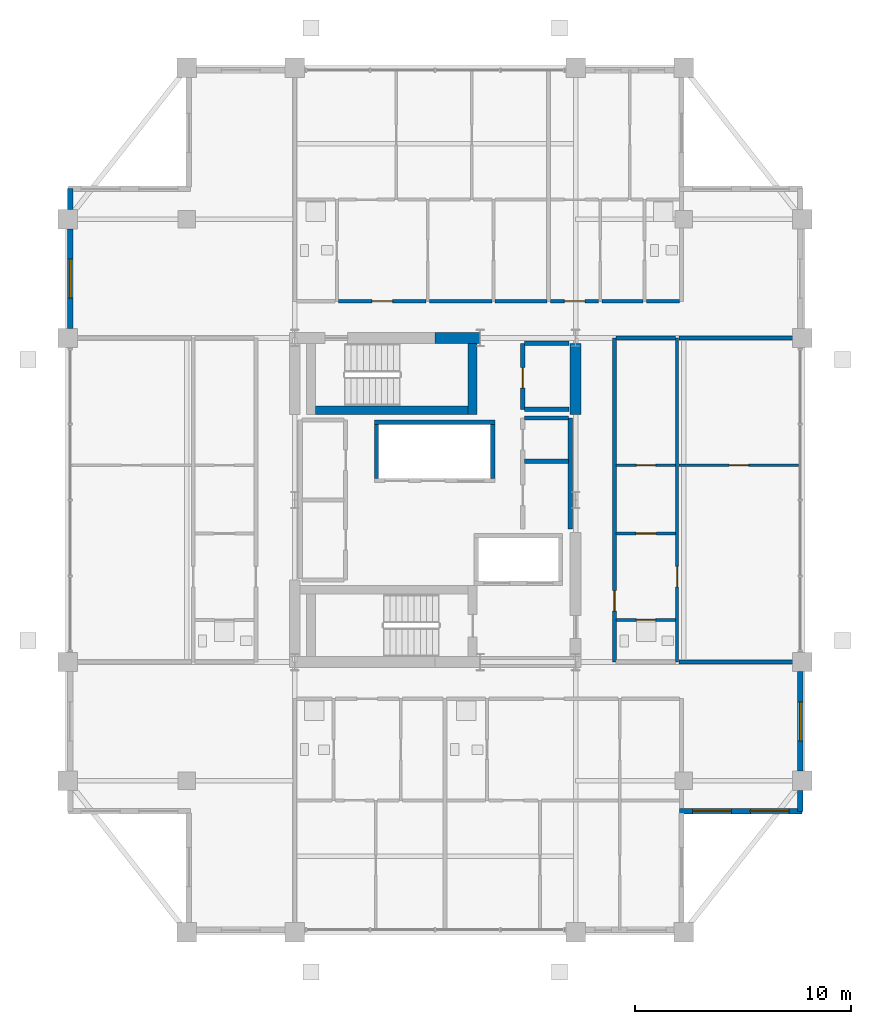
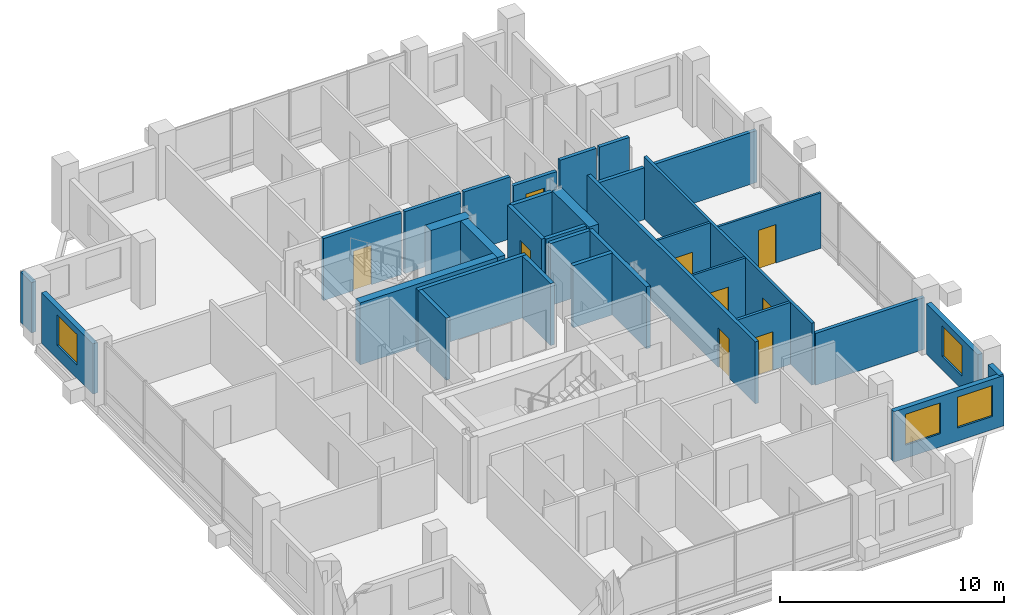
# One storey, part 18 of 22: 33 walls, 9 doors, 4 windows, 13 openings.
"""IFC4 building model written with IfcOpenShell, lengths in metres."""

from ifc_helpers import new_model, si_unit, direction, frame, frame_2d, origin, place, context, subcontext, project, spatial, rectangle, extrude, material, layer, layer_set, type_object, element, fill, save


model = new_model("IFC4")

# Units and contexts
model_context = context("Model", 3, precision=1e-05, world=origin(), true_north=direction((0.0, 1.0)))
body_context = subcontext(model_context, "Body", "Model", "MODEL_VIEW")
ifc_project = project(units=[si_unit("LENGTHUNIT", "METRE"), si_unit("AREAUNIT", "SQUARE_METRE"), si_unit("VOLUMEUNIT", "CUBIC_METRE"), si_unit("PLANEANGLEUNIT", "RADIAN"), si_unit("MASSUNIT", "GRAM", prefix="KILO")], contexts=[model_context])

# Site, building, storey
site_placement = place(None, origin())
site = spatial("IfcSite", under=ifc_project, at=site_placement, CompositionType="ELEMENT")
building_placement = place(site_placement, origin())
building = spatial("IfcBuilding", under=site, at=building_placement, Name="Barlavira Tower and Art Museum", CompositionType="ELEMENT")
storey_placement = place(building_placement, frame((0.0, 0.0, 243.89990234375)))
storey = spatial("IfcBuildingStorey", under=building, at=storey_placement, Name="L63", CompositionType="ELEMENT", Elevation=243.89990234375)

# Wall, opening, door
ifc_material_1 = material(Name="Gypsum acoustic stud partition", Category="gypsum")
ifc_layer_1 = layer(ifc_material_1, 0.1201171875, Name="Gypsum acoustic stud partition")
ifc_layer_set_1 = layer_set([ifc_layer_1], Name="Gypsum acoustic stud partition")
wall_type_1 = type_object("IfcWallType", Name="Apartment Internal Acoustic Partition 120", PredefinedType="PARTITIONING", material=ifc_layer_set_1)
wall_1_placement = place(storey_placement, frame((8.3798828125, -1.550048828125, 0.0), z_axis=(0.0, 0.0, 1.0), x_axis=(1.0, 0.0, 0.0)))
wall_1 = element("IfcWall", 1, at=wall_1_placement, inside=storey, type_object=wall_type_1, Name="L63 Partition Wall 52", PredefinedType="PARTITIONING", context=body_context, shape_type="SweptSolid", body=[
    extrude(rectangle(XDim=2.740234375, YDim=0.1201171875, at=frame_2d((1.3701171875, 0.0))), origin(), (0.0, 0.0, 1.0), 3.380126953125),
])
opening_1_placement = place(wall_1_placement, frame((0.905029296875, 0.0, 0.0)))
opening_1 = element("IfcOpeningElement", 2, at=opening_1_placement, cuts=wall_1, Name="Opening D-02", PredefinedType="OPENING", context=body_context, shape_type="SweptSolid", body=[
    extrude(rectangle(XDim=0.949951171875, YDim=2.10009765625, at=frame_2d((0.47509765625, 1.050048828125))), frame((0.0, 0.070068359375, 0.0), z_axis=(0.0, -1.0, 0.0), x_axis=(1.0, 0.0, 0.0)), (0.0, 0.0, 1.0), 0.14013671875),
])
ifc_material_2 = material(Name="Engineered coastal hardwood", Category="wood")
door_type_1 = type_object("IfcDoorType", Name="Living and Salon Glazed-Leaf Door 950x2100", OperationType="NOTDEFINED", PredefinedType="DOOR", material=ifc_material_2)
door_1_placement = place(opening_1_placement, origin())
door_1 = element("IfcDoor", 3, at=door_1_placement, inside=storey, type_object=door_type_1, Name="Apartment E1 Kitchen Door", OperationType="SINGLE_SWING_RIGHT", OverallHeight=2.10009765625, OverallWidth=0.949951171875, PredefinedType="DOOR", context=body_context, shape_type="SweptSolid", body=[
    extrude(rectangle(XDim=0.949951171875, YDim=2.10009765625, at=frame_2d((0.47509765625, 1.050048828125))), frame((0.0, 0.02490234375, 0.0), z_axis=(0.0, -1.0, 0.0), x_axis=(1.0, 0.0, 0.0)), (0.0, 0.0, 1.0), 0.050048828125),
])
fill(opening_1, door_1)

wall_2_placement = place(storey_placement, frame((8.3798828125, 1.60009765625, 0.0), z_axis=(0.0, 0.0, 1.0), x_axis=(1.0, 0.0, 0.0)))
wall_2 = element("IfcWall", 4, at=wall_2_placement, inside=storey, type_object=wall_type_1, Name="L63 Partition Wall 56", PredefinedType="PARTITIONING", context=body_context, shape_type="SweptSolid", body=[
    extrude(rectangle(XDim=2.740234375, YDim=0.1201171875, at=frame_2d((1.3701171875, 0.0))), origin(), (0.0, 0.0, 1.0), 3.380126953125),
])
opening_2_placement = place(wall_2_placement, frame((0.929931640625, 0.0, 0.0)))
opening_2 = element("IfcOpeningElement", 5, at=opening_2_placement, cuts=wall_2, Name="Opening D-01", PredefinedType="OPENING", context=body_context, shape_type="SweptSolid", body=[
    extrude(rectangle(XDim=0.89990234375, YDim=2.10009765625, at=frame_2d((0.449951171875, 1.050048828125))), frame((0.0, 0.070068359375, 0.0), z_axis=(0.0, -1.0, 0.0), x_axis=(1.0, 0.0, 0.0)), (0.0, 0.0, 1.0), 0.14013671875),
])
door_type_2 = type_object("IfcDoorType", Name="Internal Bedroom Timber Flush Door 900x2100", OperationType="NOTDEFINED", PredefinedType="DOOR", material=ifc_material_2)
door_2_placement = place(opening_2_placement, origin())
door_2 = element("IfcDoor", 6, at=door_2_placement, inside=storey, type_object=door_type_2, Name="Apartment E1 Walk-In Dressing Room Door", OperationType="SINGLE_SWING_LEFT", OverallHeight=2.10009765625, OverallWidth=0.89990234375, PredefinedType="DOOR", context=body_context, shape_type="SweptSolid", body=[
    extrude(rectangle(XDim=0.89990234375, YDim=2.10009765625, at=frame_2d((0.449951171875, 1.050048828125))), frame((0.0, 0.02490234375, 0.0), z_axis=(0.0, -1.0, 0.0), x_axis=(1.0, 0.0, 0.0)), (0.0, 0.0, 1.0), 0.050048828125),
])
fill(opening_2, door_2)

wall_3_placement = place(storey_placement, frame((11.280029296875, 1.60009765625, 0.0), z_axis=(0.0, 0.0, 1.0), x_axis=(1.0, 0.0, 0.0)))
wall_3 = element("IfcWall", 7, at=wall_3_placement, inside=storey, type_object=wall_type_1, Name="L63 Partition Wall 57", PredefinedType="PARTITIONING", context=body_context, shape_type="SweptSolid", body=[
    extrude(rectangle(XDim=5.5400390625, YDim=0.1201171875, at=frame_2d((2.77001953125, 0.0))), origin(), (0.0, 0.0, 1.0), 3.01806640625),
])
opening_3_placement = place(wall_3_placement, frame((2.330078125, 0.0, 0.0)))
opening_3 = element("IfcOpeningElement", 8, at=opening_3_placement, cuts=wall_3, Name="Opening D-01", PredefinedType="OPENING", context=body_context, shape_type="SweptSolid", body=[
    extrude(rectangle(XDim=0.89990234375, YDim=2.10009765625, at=frame_2d((0.449951171875, 1.050048828125))), frame((0.0, 0.070068359375, 0.0), z_axis=(0.0, -1.0, 0.0), x_axis=(1.0, 0.0, 0.0)), (0.0, 0.0, 1.0), 0.14013671875),
])
door_3_placement = place(opening_3_placement, origin())
door_3 = element("IfcDoor", 9, at=door_3_placement, inside=storey, type_object=door_type_2, Name="Apartment E1 Bedroom 1 Door", OperationType="SINGLE_SWING_LEFT", OverallHeight=2.10009765625, OverallWidth=0.89990234375, PredefinedType="DOOR", context=body_context, shape_type="SweptSolid", body=[
    extrude(rectangle(XDim=0.89990234375, YDim=2.10009765625, at=frame_2d((0.449951171875, 1.050048828125))), frame((0.0, 0.02490234375, 0.0), z_axis=(0.0, -1.0, 0.0), x_axis=(1.0, 0.0, 0.0)), (0.0, 0.0, 1.0), 0.050048828125),
])
fill(opening_3, door_3)

# Walls
ifc_material_3 = material(Name="Concrete C60", Category="concrete")
ifc_layer_2 = layer(ifc_material_3, 0.5, Name="Concrete C60")
ifc_layer_set_2 = layer_set([ifc_layer_2], Name="Concrete C60")
wall_type_2 = type_object("IfcWallType", Name="Core Structural Shear Wall 500 Concrete C60", PredefinedType="SHEAR", material=ifc_layer_set_2)
wall_4_placement = place(storey_placement, frame((0.0, 7.5, 0.0), z_axis=(0.0, 0.0, 1.0), x_axis=(1.0, 0.0, 0.0)))
element("IfcWall", 10, at=wall_4_placement, inside=storey, type_object=wall_type_2, Name="L63 Core Shear Wall CS-EN", PredefinedType="SHEAR", context=body_context, shape_type="SweptSolid", body=[
    extrude(rectangle(XDim=2.080078125, YDim=0.5, at=frame_2d((1.0400390625, 0.0))), origin(), (0.0, 0.0, 1.0), 3.380126953125),
])
wall_5_placement = place(storey_placement, frame((6.5, 3.949951171875, 0.0), z_axis=(0.0, 0.0, 1.0), x_axis=(0.0, 1.0, 0.0)))
element("IfcWall", 11, at=wall_5_placement, inside=storey, type_object=wall_type_2, Name="L63 Core Shear Wall CS-E2", PredefinedType="SHEAR", context=body_context, shape_type="SweptSolid", body=[
    extrude(rectangle(XDim=3.300048828125, YDim=0.5, at=frame_2d((1.64990234375, 0.0))), origin(), (0.0, 0.0, 1.0), 3.380126953125),
])
ifc_material_4 = material(Name="Autoclaved aerated concrete masonry", Category="masonry")
ifc_layer_3 = layer(ifc_material_4, 0.199951171875, Name="Autoclaved aerated concrete masonry")
ifc_layer_set_3 = layer_set([ifc_layer_3], Name="Autoclaved aerated concrete masonry")
wall_type_3 = type_object("IfcWallType", Name="Fire Compartment and Shaft Wall 200", PredefinedType="SOLIDWALL", material=ifc_layer_set_3)
wall_6_placement = place(storey_placement, frame((-2.820068359375, 3.60009765625, 0.0), z_axis=(0.0, 0.0, 1.0), x_axis=(1.0, 0.0, 0.0)))
element("IfcWall", 12, at=wall_6_placement, inside=storey, type_object=wall_type_3, Name="L63 High-Rise & Service Lift Back Wall", PredefinedType="SOLIDWALL", context=body_context, shape_type="SweptSolid", body=[
    extrude(rectangle(XDim=5.580078125, YDim=0.199951171875, at=frame_2d((2.7900390625, 0.0))), origin(), (0.0, 0.0, 1.0), 3.380126953125),
])
for number, where, z_axis, x_axis, name in (
    (13, (-2.719970703125, 1.0, 0.0), (0.0, 0.0, 1.0), (0.0, 1.0, 0.0), "L63 High-Rise & Service Lift West Wall"),
    (14, (2.659912109375, 1.0, 0.0), (0.0, 0.0, 1.0), (0.0, 1.0, 0.0), "L63 High-Rise & Service Lift East Wall"),
):
    element("IfcWall", number, at=place(storey_placement, frame(where, z_axis=z_axis, x_axis=x_axis)), inside=storey, type_object=wall_type_3, Name=name, PredefinedType="SOLIDWALL", context=body_context, shape_type="SweptSolid", body=[
        extrude(rectangle(XDim=2.5, YDim=0.199951171875, at=frame_2d((1.25, 0.0))), origin(), (0.0, 0.0, 1.0), 3.380126953125),
    ])

# Wall, opening, door
wall_7_placement = place(storey_placement, frame((4.050048828125, 4.199951171875, 0.0), z_axis=(0.0, 0.0, 1.0), x_axis=(0.0, 1.0, 0.0)))
wall_7 = element("IfcWall", 15, at=wall_7_placement, inside=storey, type_object=wall_type_3, Name="L63 Partition Wall 18", PredefinedType="SOLIDWALL", context=body_context, shape_type="SweptSolid", body=[
    extrude(rectangle(XDim=3.050048828125, YDim=0.199951171875, at=frame_2d((1.52490234375, 0.0))), origin(), (0.0, 0.0, 1.0), 3.380126953125),
])
opening_4_placement = place(wall_7_placement, frame((0.97509765625, 0.0, 0.0)))
opening_4 = element("IfcOpeningElement", 16, at=opening_4_placement, cuts=wall_7, Name="Opening FD-60", PredefinedType="OPENING", context=body_context, shape_type="SweptSolid", body=[
    extrude(rectangle(XDim=0.949951171875, YDim=2.14990234375, at=frame_2d((0.47509765625, 1.074951171875))), frame((0.0, 0.10986328125, 0.0), z_axis=(0.0, -1.0, 0.0), x_axis=(1.0, 0.0, 0.0)), (0.0, 0.0, 1.0), 0.219970703125),
])
ifc_material_5 = material(Name="Brushed stainless steel", Category="steel")
door_type_3 = type_object("IfcDoorType", Name="Apartment Entrance and Riser Fire Door 950x2150 FD60S", OperationType="NOTDEFINED", PredefinedType="DOOR", material=ifc_material_5)
door_4_placement = place(opening_4_placement, origin())
door_4 = element("IfcDoor", 17, at=door_4_placement, inside=storey, type_object=door_type_3, Name="Combined Electrical and Telecom Plant Room Door", OperationType="SINGLE_SWING_RIGHT", OverallHeight=2.14990234375, OverallWidth=0.949951171875, PredefinedType="DOOR", context=body_context, shape_type="SweptSolid", body=[
    extrude(rectangle(XDim=0.949951171875, YDim=2.14990234375, at=frame_2d((0.47509765625, 1.074951171875))), frame((0.0, 0.02490234375, 0.0), z_axis=(0.0, -1.0, 0.0), x_axis=(1.0, 0.0, 0.0)), (0.0, 0.0, 1.0), 0.050048828125),
])
fill(opening_4, door_4)

# Walls
wall_8_placement = place(storey_placement, frame((6.25, -1.35009765625, 0.0), z_axis=(0.0, 0.0, 1.0), x_axis=(0.0, 1.0, 0.0)))
element("IfcWall", 18, at=wall_8_placement, inside=storey, type_object=wall_type_3, Name="L63 Partition Wall 21", PredefinedType="SOLIDWALL", context=body_context, shape_type="SweptSolid", body=[
    extrude(rectangle(XDim=5.150146484375, YDim=0.199951171875, at=frame_2d((2.5751953125, 0.0))), origin(), (0.0, 0.0, 1.0), 3.380126953125),
])
for number, where, z_axis, x_axis, name in (
    (19, (4.1298828125, 1.800048828125, 0.0), (0.0, 0.0, 1.0), (1.0, 0.0, 0.0), "L63 Partition Wall 58"),
    (20, (4.1298828125, 3.800048828125, 0.0), (0.0, 0.0, 1.0), (1.0, 0.0, 0.0), "L63 Partition Wall 60"),
):
    element("IfcWall", number, at=place(storey_placement, frame(where, z_axis=z_axis, x_axis=x_axis)), inside=storey, type_object=wall_type_3, Name=name, PredefinedType="SOLIDWALL", context=body_context, shape_type="SweptSolid", body=[
        extrude(rectangle(XDim=2.0400390625, YDim=0.199951171875, at=frame_2d((1.02001953125, 0.0))), origin(), (0.0, 0.0, 1.0), 3.380126953125),
    ])
for number, where, z_axis, x_axis, name in (
    (21, (4.1298828125, 4.199951171875, 0.0), (0.0, 0.0, 1.0), (1.0, 0.0, 0.0), "L63 Partition Wall 61"),
    (22, (4.1298828125, 7.25, 0.0), (0.0, 0.0, 1.0), (1.0, 0.0, 0.0), "L63 Partition Wall 62"),
):
    element("IfcWall", number, at=place(storey_placement, frame(where, z_axis=z_axis, x_axis=x_axis)), inside=storey, type_object=wall_type_3, Name=name, PredefinedType="SOLIDWALL", context=body_context, shape_type="SweptSolid", body=[
        extrude(rectangle(XDim=2.070068359375, YDim=0.199951171875, at=frame_2d((1.03515625, 0.0))), origin(), (0.0, 0.0, 1.0), 3.380126953125),
    ])

# Wall, opening, door
ifc_layer_4 = layer(ifc_material_1, 0.179931640625, Name="Gypsum acoustic stud partition")
ifc_layer_set_4 = layer_set([ifc_layer_4], Name="Gypsum acoustic stud partition")
wall_type_4 = type_object("IfcWallType", Name="Inter-Tenancy Party Partition Wall 180", PredefinedType="PARTITIONING", material=ifc_layer_set_4)
wall_9_placement = place(storey_placement, frame((8.300048828125, -7.5, 0.0), z_axis=(0.0, 0.0, 1.0), x_axis=(0.0, 1.0, 0.0)))
wall_9 = element("IfcWall", 23, at=wall_9_placement, inside=storey, type_object=wall_type_4, Name="L63 Partition Wall 23", PredefinedType="PARTITIONING", context=body_context, shape_type="SweptSolid", body=[
    extrude(rectangle(XDim=15.0, YDim=0.179931640625, at=frame_2d((7.5, 0.0))), origin(), (0.0, 0.0, 1.0), 3.380126953125),
])
opening_5_placement = place(wall_9_placement, frame((2.35498046875, 0.0, 0.0)))
opening_5 = element("IfcOpeningElement", 24, at=opening_5_placement, cuts=wall_9, Name="Opening FD-60", PredefinedType="OPENING", context=body_context, shape_type="SweptSolid", body=[
    extrude(rectangle(XDim=0.949951171875, YDim=2.14990234375, at=frame_2d((0.47509765625, 1.074951171875))), frame((0.0, 0.10009765625, 0.0), z_axis=(0.0, -1.0, 0.0), x_axis=(1.0, 0.0, 0.0)), (0.0, 0.0, 1.0), 0.199951171875),
])
door_5_placement = place(opening_5_placement, origin())
door_5 = element("IfcDoor", 25, at=door_5_placement, inside=storey, type_object=door_type_3, Name="Apartment Entrance Hall E1 Door", OperationType="SINGLE_SWING_LEFT", OverallHeight=2.14990234375, OverallWidth=0.949951171875, PredefinedType="DOOR", context=body_context, shape_type="SweptSolid", body=[
    extrude(rectangle(XDim=0.949951171875, YDim=2.14990234375, at=frame_2d((0.47509765625, 1.074951171875))), frame((0.0, 0.02490234375, 0.0), z_axis=(0.0, -1.0, 0.0), x_axis=(1.0, 0.0, 0.0)), (0.0, 0.0, 1.0), 0.050048828125),
])
fill(opening_5, door_5)

# Walls
wall_10_placement = place(storey_placement, frame((11.280029296875, -7.5, 0.0), z_axis=(0.0, 0.0, 1.0), x_axis=(1.0, 0.0, 0.0)))
element("IfcWall", 26, at=wall_10_placement, inside=storey, type_object=wall_type_4, Name="L63 Partition Wall 47", PredefinedType="PARTITIONING", context=body_context, shape_type="SweptSolid", body=[
    extrude(rectangle(XDim=5.619873046875, YDim=0.179931640625, at=frame_2d((2.81005859375, 0.0))), origin(), (0.0, 0.0, 1.0), 2.826171875),
])
wall_11_placement = place(storey_placement, frame((8.3798828125, 7.5, 0.0), z_axis=(0.0, 0.0, 1.0), x_axis=(1.0, 0.0, 0.0)))
element("IfcWall", 27, at=wall_11_placement, inside=storey, type_object=wall_type_4, Name="L63 Partition Wall 65", PredefinedType="PARTITIONING", context=body_context, shape_type="SweptSolid", body=[
    extrude(rectangle(XDim=2.740234375, YDim=0.179931640625, at=frame_2d((1.3701171875, 0.0))), origin(), (0.0, 0.0, 1.0), 2.826171875),
])
wall_12_placement = place(storey_placement, frame((11.280029296875, 7.5, 0.0), z_axis=(0.0, 0.0, 1.0), x_axis=(1.0, 0.0, 0.0)))
element("IfcWall", 28, at=wall_12_placement, inside=storey, type_object=wall_type_4, Name="L63 Partition Wall 66", PredefinedType="PARTITIONING", context=body_context, shape_type="SweptSolid", body=[
    extrude(rectangle(XDim=5.619873046875, YDim=0.179931640625, at=frame_2d((2.81005859375, 0.0))), origin(), (0.0, 0.0, 1.0), 2.826171875),
])

# Wall, opening, door
wall_13_placement = place(storey_placement, frame((-4.469970703125, 9.199951171875, 0.0), z_axis=(0.0, 0.0, 1.0), x_axis=(1.0, 0.0, 0.0)))
wall_13 = element("IfcWall", 29, at=wall_13_placement, inside=storey, type_object=wall_type_4, Name="L63 Partition Wall 68", PredefinedType="PARTITIONING", context=body_context, shape_type="SweptSolid", body=[
    extrude(rectangle(XDim=4.0400390625, YDim=0.179931640625, at=frame_2d((2.02001953125, 0.0))), origin(), (0.0, 0.0, 1.0), 3.380126953125),
])
opening_6_placement = place(wall_13_placement, frame((1.544921875, 0.0, 0.0)))
opening_6 = element("IfcOpeningElement", 30, at=opening_6_placement, cuts=wall_13, Name="Opening FD-60", PredefinedType="OPENING", context=body_context, shape_type="SweptSolid", body=[
    extrude(rectangle(XDim=0.949951171875, YDim=2.14990234375, at=frame_2d((0.47509765625, 1.074951171875))), frame((0.0, 0.10009765625, 0.0), z_axis=(0.0, -1.0, 0.0), x_axis=(1.0, 0.0, 0.0)), (0.0, 0.0, 1.0), 0.199951171875),
])
door_6_placement = place(opening_6_placement, origin())
door_6 = element("IfcDoor", 31, at=door_6_placement, inside=storey, type_object=door_type_3, Name="Apartment Entrance Hall N1 Door", OperationType="SINGLE_SWING_LEFT", OverallHeight=2.14990234375, OverallWidth=0.949951171875, PredefinedType="DOOR", context=body_context, shape_type="SweptSolid", body=[
    extrude(rectangle(XDim=0.949951171875, YDim=2.14990234375, at=frame_2d((0.47509765625, 1.074951171875))), frame((0.0, 0.02490234375, 0.0), z_axis=(0.0, -1.0, 0.0), x_axis=(1.0, 0.0, 0.0)), (0.0, 0.0, 1.0), 0.050048828125),
])
fill(opening_6, door_6)

# Walls
wall_14_placement = place(storey_placement, frame((-0.27001953125, 9.199951171875, 0.0), z_axis=(0.0, 0.0, 1.0), x_axis=(1.0, 0.0, 0.0)))
element("IfcWall", 32, at=wall_14_placement, inside=storey, type_object=wall_type_4, Name="L63 Partition Wall 69", PredefinedType="PARTITIONING", context=body_context, shape_type="SweptSolid", body=[
    extrude(rectangle(XDim=2.89013671875, YDim=0.179931640625, at=frame_2d((1.445068359375, 0.0))), origin(), (0.0, 0.0, 1.0), 3.380126953125),
])
wall_15_placement = place(storey_placement, frame((2.780029296875, 9.199951171875, 0.0), z_axis=(0.0, 0.0, 1.0), x_axis=(1.0, 0.0, 0.0)))
element("IfcWall", 33, at=wall_15_placement, inside=storey, type_object=wall_type_4, Name="L63 Partition Wall 70", PredefinedType="PARTITIONING", context=body_context, shape_type="SweptSolid", body=[
    extrude(rectangle(XDim=2.389892578125, YDim=0.179931640625, at=frame_2d((1.19482421875, 0.0))), origin(), (0.0, 0.0, 1.0), 3.380126953125),
])

# Wall, opening, door
wall_16_placement = place(storey_placement, frame((5.330078125, 9.199951171875, 0.0), z_axis=(0.0, 0.0, 1.0), x_axis=(1.0, 0.0, 0.0)))
wall_16 = element("IfcWall", 34, at=wall_16_placement, inside=storey, type_object=wall_type_4, Name="L63 Partition Wall 71", PredefinedType="PARTITIONING", context=body_context, shape_type="SweptSolid", body=[
    extrude(rectangle(XDim=2.239990234375, YDim=0.179931640625, at=frame_2d((1.1201171875, 0.0))), origin(), (0.0, 0.0, 1.0), 2.826171875),
])
opening_7_placement = place(wall_16_placement, frame((0.64501953125, 0.0, 0.0)))
opening_7 = element("IfcOpeningElement", 35, at=opening_7_placement, cuts=wall_16, Name="Opening FD-60", PredefinedType="OPENING", context=body_context, shape_type="SweptSolid", body=[
    extrude(rectangle(XDim=0.949951171875, YDim=2.14990234375, at=frame_2d((0.47509765625, 1.074951171875))), frame((0.0, 0.10009765625, 0.0), z_axis=(0.0, -1.0, 0.0), x_axis=(1.0, 0.0, 0.0)), (0.0, 0.0, 1.0), 0.199951171875),
])
door_7_placement = place(opening_7_placement, origin())
door_7 = element("IfcDoor", 36, at=door_7_placement, inside=storey, type_object=door_type_3, Name="Apartment Entrance Hall N2 Door", OperationType="SINGLE_SWING_LEFT", OverallHeight=2.14990234375, OverallWidth=0.949951171875, PredefinedType="DOOR", context=body_context, shape_type="SweptSolid", body=[
    extrude(rectangle(XDim=0.949951171875, YDim=2.14990234375, at=frame_2d((0.47509765625, 1.074951171875))), frame((0.0, 0.02490234375, 0.0), z_axis=(0.0, -1.0, 0.0), x_axis=(1.0, 0.0, 0.0)), (0.0, 0.0, 1.0), 0.050048828125),
])
fill(opening_7, door_7)

# Walls
wall_17_placement = place(storey_placement, frame((7.72998046875, 9.199951171875, 0.0), z_axis=(0.0, 0.0, 1.0), x_axis=(1.0, 0.0, 0.0)))
element("IfcWall", 37, at=wall_17_placement, inside=storey, type_object=wall_type_4, Name="L63 Partition Wall 72", PredefinedType="PARTITIONING", context=body_context, shape_type="SweptSolid", body=[
    extrude(rectangle(XDim=1.89013671875, YDim=0.179931640625, at=frame_2d((0.945068359375, 0.0))), origin(), (0.0, 0.0, 1.0), 3.380126953125),
])
wall_18_placement = place(storey_placement, frame((9.780029296875, 9.199951171875, 0.0), z_axis=(0.0, 0.0, 1.0), x_axis=(1.0, 0.0, 0.0)))
element("IfcWall", 38, at=wall_18_placement, inside=storey, type_object=wall_type_4, Name="L63 Partition Wall 73", PredefinedType="PARTITIONING", context=body_context, shape_type="SweptSolid", body=[
    extrude(rectangle(XDim=1.5400390625, YDim=0.179931640625, at=frame_2d((0.77001953125, 0.0))), origin(), (0.0, 0.0, 1.0), 3.380126953125),
])

# Wall, opening, door
ifc_layer_5 = layer(ifc_material_1, 0.139892578125, Name="Gypsum acoustic stud partition")
ifc_layer_set_5 = layer_set([ifc_layer_5], Name="Gypsum acoustic stud partition")
wall_type_5 = type_object("IfcWallType", Name="Moisture-Resistant Bathroom Partition 140", PredefinedType="PARTITIONING", material=ifc_layer_set_5)
wall_19_placement = place(storey_placement, frame((11.199951171875, -7.5, 0.0), z_axis=(0.0, 0.0, 1.0), x_axis=(0.0, 1.0, 0.0)))
wall_19 = element("IfcWall", 39, at=wall_19_placement, inside=storey, type_object=wall_type_5, Name="L63 Partition Wall 27", PredefinedType="PARTITIONING", context=body_context, shape_type="SweptSolid", body=[
    extrude(rectangle(XDim=15.0, YDim=0.139892578125, at=frame_2d((7.5, 0.0))), origin(), (0.0, 0.0, 1.0), 3.380126953125),
])
opening_8_placement = place(wall_19_placement, frame((3.47509765625, 0.0, 0.0)))
opening_8 = element("IfcOpeningElement", 40, at=opening_8_placement, cuts=wall_19, Name="Opening D-02", PredefinedType="OPENING", context=body_context, shape_type="SweptSolid", body=[
    extrude(rectangle(XDim=0.949951171875, YDim=2.10009765625, at=frame_2d((0.47509765625, 1.050048828125))), frame((0.0, 0.080078125, 0.0), z_axis=(0.0, -1.0, 0.0), x_axis=(1.0, 0.0, 0.0)), (0.0, 0.0, 1.0), 0.159912109375),
])
door_8_placement = place(opening_8_placement, origin())
door_8 = element("IfcDoor", 41, at=door_8_placement, inside=storey, type_object=door_type_1, Name="Apartment E1 Living Lounge Door", OperationType="SINGLE_SWING_RIGHT", OverallHeight=2.10009765625, OverallWidth=0.949951171875, PredefinedType="DOOR", context=body_context, shape_type="SweptSolid", body=[
    extrude(rectangle(XDim=0.949951171875, YDim=2.10009765625, at=frame_2d((0.47509765625, 1.050048828125))), frame((0.0, 0.02490234375, 0.0), z_axis=(0.0, -1.0, 0.0), x_axis=(1.0, 0.0, 0.0)), (0.0, 0.0, 1.0), 0.050048828125),
])
fill(opening_8, door_8)

wall_20_placement = place(storey_placement, frame((8.3798828125, -5.550048828125, 0.0), z_axis=(0.0, 0.0, 1.0), x_axis=(1.0, 0.0, 0.0)))
wall_20 = element("IfcWall", 42, at=wall_20_placement, inside=storey, type_object=wall_type_5, Name="L63 Partition Wall 49", PredefinedType="PARTITIONING", context=body_context, shape_type="SweptSolid", body=[
    extrude(rectangle(XDim=2.740234375, YDim=0.139892578125, at=frame_2d((1.3701171875, 0.0))), origin(), (0.0, 0.0, 1.0), 3.380126953125),
])
opening_9_placement = place(wall_20_placement, frame((0.929931640625, 0.0, 0.0)))
opening_9 = element("IfcOpeningElement", 43, at=opening_9_placement, cuts=wall_20, Name="Opening D-WC", PredefinedType="OPENING", context=body_context, shape_type="SweptSolid", body=[
    extrude(rectangle(XDim=0.89990234375, YDim=2.10009765625, at=frame_2d((0.449951171875, 1.050048828125))), frame((0.0, 0.080078125, 0.0), z_axis=(0.0, -1.0, 0.0), x_axis=(1.0, 0.0, 0.0)), (0.0, 0.0, 1.0), 0.159912109375),
])
door_type_4 = type_object("IfcDoorType", Name="Accessible Bathroom Flush Door 900x2100", OperationType="NOTDEFINED", PredefinedType="DOOR", material=ifc_material_2)
door_9_placement = place(opening_9_placement, origin())
door_9 = element("IfcDoor", 44, at=door_9_placement, inside=storey, type_object=door_type_4, Name="Apartment E1 Hall Bathroom Door", OperationType="SINGLE_SWING_RIGHT", OverallHeight=2.10009765625, OverallWidth=0.89990234375, PredefinedType="DOOR", context=body_context, shape_type="SweptSolid", body=[
    extrude(rectangle(XDim=0.89990234375, YDim=2.10009765625, at=frame_2d((0.449951171875, 1.050048828125))), frame((0.0, 0.02490234375, 0.0), z_axis=(0.0, -1.0, 0.0), x_axis=(1.0, 0.0, 0.0)), (0.0, 0.0, 1.0), 0.050048828125),
])
fill(opening_9, door_9)

# Wall
ifc_material_6 = material(Name="Precast concrete C40", Category="concrete")
ifc_layer_6 = layer(ifc_material_6, 0.25, Name="Precast concrete C40")
ifc_layer_set_6 = layer_set([ifc_layer_6], Name="Precast concrete C40")
wall_type_6 = type_object("IfcWallType", Name="Notched Corner Spandrel Wall 250 Precast Concrete C40", PredefinedType="SOLIDWALL", material=ifc_layer_set_6)
wall_21_placement = place(storey_placement, frame((-16.89990234375, 14.425048828125, 0.0), z_axis=(0.0, 0.0, 1.0), x_axis=(0.0, -1.0, 0.0)))
element("IfcWall", 45, at=wall_21_placement, inside=storey, type_object=wall_type_6, Name="L63 Coastal Facade Pier Wall CW4-L63-W-1", PredefinedType="SOLIDWALL", context=body_context, shape_type="SweptSolid", body=[
    extrude(rectangle(XDim=0.97998046875, YDim=0.25, at=frame_2d((0.489990234375, 0.0))), origin(), (0.0, 0.0, 1.0), 2.748046875),
])

# Wall, opening, window
wall_22_placement = place(storey_placement, frame((-16.89990234375, 12.554931640625, 0.0), z_axis=(0.0, 0.0, 1.0), x_axis=(0.0, -1.0, 0.0)))
wall_22 = element("IfcWall", 46, at=wall_22_placement, inside=storey, type_object=wall_type_6, Name="L63 Coastal Facade Pier Wall CW4-L63-W-2", PredefinedType="SOLIDWALL", context=body_context, shape_type="SweptSolid", body=[
    extrude(rectangle(XDim=4.60986328125, YDim=0.25, at=frame_2d((2.304931640625, 0.0))), origin(), (0.0, 0.0, 1.0), 2.748046875),
])
opening_10_placement = place(wall_22_placement, frame((1.405029296875, 0.0, 0.719970703125)))
opening_10 = element("IfcOpeningElement", 47, at=opening_10_placement, cuts=wall_22, Name="Opening WN-01", PredefinedType="OPENING", context=body_context, shape_type="SweptSolid", body=[
    extrude(rectangle(XDim=1.800048828125, YDim=1.679931640625, at=frame_2d((0.89990234375, 0.83984375))), frame((0.0, 0.135009765625, 0.0), z_axis=(0.0, -1.0, 0.0), x_axis=(1.0, 0.0, 0.0)), (0.0, 0.0, 1.0), 0.27001953125),
])
ifc_material_7 = material(Name="Low-iron coastal laminated glass", Category="glass")
window_type = type_object("IfcWindowType", Name="Recessed Notch Corner Punch Window 1800x1680", PartitioningType="SINGLE_PANEL", PredefinedType="WINDOW", material=ifc_material_7)
window_1_placement = place(opening_10_placement, origin())
window_1 = element("IfcWindow", 48, at=window_1_placement, inside=storey, type_object=window_type, Name="L63 Punched Facade Window EWP-CW4-L63-W-2-1", OverallHeight=1.679931640625, OverallWidth=1.800048828125, PartitioningType="SINGLE_PANEL", PredefinedType="WINDOW", context=body_context, shape_type="SweptSolid", body=[
    extrude(rectangle(XDim=1.800048828125, YDim=1.679931640625, at=frame_2d((0.89990234375, 0.83984375))), frame((0.0, 0.030029296875, 0.0), z_axis=(0.0, -1.0, 0.0), x_axis=(1.0, 0.0, 0.0)), (0.0, 0.0, 1.0), 0.06005859375),
])
fill(opening_10, window_1)

# Wall
wall_23_placement = place(storey_placement, frame((16.89990234375, -14.425048828125, 0.0), z_axis=(0.0, 0.0, 1.0), x_axis=(0.0, 1.0, 0.0)))
element("IfcWall", 49, at=wall_23_placement, inside=storey, type_object=wall_type_6, Name="L63 Coastal Facade Pier Wall CW4-L63-E-1", PredefinedType="SOLIDWALL", context=body_context, shape_type="SweptSolid", body=[
    extrude(rectangle(XDim=0.97998046875, YDim=0.25, at=frame_2d((0.489990234375, 0.0))), origin(), (0.0, 0.0, 1.0), 2.748046875),
])

# Wall, opening, window
wall_24_placement = place(storey_placement, frame((16.89990234375, -12.554931640625, 0.0), z_axis=(0.0, 0.0, 1.0), x_axis=(0.0, 1.0, 0.0)))
wall_24 = element("IfcWall", 50, at=wall_24_placement, inside=storey, type_object=wall_type_6, Name="L63 Coastal Facade Pier Wall CW4-L63-E-2", PredefinedType="SOLIDWALL", context=body_context, shape_type="SweptSolid", body=[
    extrude(rectangle(XDim=4.60986328125, YDim=0.25, at=frame_2d((2.304931640625, 0.0))), origin(), (0.0, 0.0, 1.0), 2.748046875),
])
opening_11_placement = place(wall_24_placement, frame((1.405029296875, 0.0, 0.719970703125)))
opening_11 = element("IfcOpeningElement", 51, at=opening_11_placement, cuts=wall_24, Name="Opening WN-01", PredefinedType="OPENING", context=body_context, shape_type="SweptSolid", body=[
    extrude(rectangle(XDim=1.800048828125, YDim=1.679931640625, at=frame_2d((0.89990234375, 0.83984375))), frame((0.0, 0.135009765625, 0.0), z_axis=(0.0, -1.0, 0.0), x_axis=(1.0, 0.0, 0.0)), (0.0, 0.0, 1.0), 0.27001953125),
])
window_2_placement = place(opening_11_placement, origin())
window_2 = element("IfcWindow", 52, at=window_2_placement, inside=storey, type_object=window_type, Name="L63 Punched Facade Window EWP-CW4-L63-E-2-1", OverallHeight=1.679931640625, OverallWidth=1.800048828125, PartitioningType="SINGLE_PANEL", PredefinedType="WINDOW", context=body_context, shape_type="SweptSolid", body=[
    extrude(rectangle(XDim=1.800048828125, YDim=1.679931640625, at=frame_2d((0.89990234375, 0.83984375))), frame((0.0, 0.030029296875, 0.0), z_axis=(0.0, -1.0, 0.0), x_axis=(1.0, 0.0, 0.0)), (0.0, 0.0, 1.0), 0.06005859375),
])
fill(opening_11, window_2)

# Wall, openings, windows
wall_25_placement = place(storey_placement, frame((11.320068359375, -14.39990234375, 0.0), z_axis=(0.0, 0.0, 1.0), x_axis=(1.0, 0.0, 0.0)))
wall_25 = element("IfcWall", 53, at=wall_25_placement, inside=storey, type_object=wall_type_6, Name="L63 Notch Corner Wall SE2", PredefinedType="SOLIDWALL", context=body_context, shape_type="SweptSolid", body=[
    extrude(rectangle(XDim=5.659912109375, YDim=0.25, at=frame_2d((2.830078125, 0.0))), origin(), (0.0, 0.0, 1.0), 2.748046875),
])
opening_12_placement = place(wall_25_placement, frame((0.594970703125, 0.0, 0.719970703125)))
opening_12 = element("IfcOpeningElement", 54, at=opening_12_placement, cuts=wall_25, Name="Opening WN-01", PredefinedType="OPENING", context=body_context, shape_type="SweptSolid", body=[
    extrude(rectangle(XDim=1.800048828125, YDim=1.679931640625, at=frame_2d((0.89990234375, 0.83984375))), frame((0.0, 0.135009765625, 0.0), z_axis=(0.0, -1.0, 0.0), x_axis=(1.0, 0.0, 0.0)), (0.0, 0.0, 1.0), 0.27001953125),
])
opening_13_placement = place(wall_25_placement, frame((3.264892578125, 0.0, 0.719970703125)))
opening_13 = element("IfcOpeningElement", 55, at=opening_13_placement, cuts=wall_25, Name="Opening WN-01", PredefinedType="OPENING", context=body_context, shape_type="SweptSolid", body=[
    extrude(rectangle(XDim=1.800048828125, YDim=1.679931640625, at=frame_2d((0.89990234375, 0.83984375))), frame((0.0, 0.135009765625, 0.0), z_axis=(0.0, -1.0, 0.0), x_axis=(1.0, 0.0, 0.0)), (0.0, 0.0, 1.0), 0.27001953125),
])
window_3_placement = place(opening_12_placement, origin())
window_3 = element("IfcWindow", 56, at=window_3_placement, inside=storey, type_object=window_type, Name="L63 Punched Facade Window EW-NTC-L63-SE2-1", OverallHeight=1.679931640625, OverallWidth=1.800048828125, PartitioningType="SINGLE_PANEL", PredefinedType="WINDOW", context=body_context, shape_type="SweptSolid", body=[
    extrude(rectangle(XDim=1.800048828125, YDim=1.679931640625, at=frame_2d((0.89990234375, 0.83984375))), frame((0.0, 0.030029296875, 0.0), z_axis=(0.0, -1.0, 0.0), x_axis=(1.0, 0.0, 0.0)), (0.0, 0.0, 1.0), 0.06005859375),
])
fill(opening_12, window_3)
window_4_placement = place(opening_13_placement, origin())
window_4 = element("IfcWindow", 57, at=window_4_placement, inside=storey, type_object=window_type, Name="L63 Punched Facade Window EW-NTC-L63-SE2-2", OverallHeight=1.679931640625, OverallWidth=1.800048828125, PartitioningType="SINGLE_PANEL", PredefinedType="WINDOW", context=body_context, shape_type="SweptSolid", body=[
    extrude(rectangle(XDim=1.800048828125, YDim=1.679931640625, at=frame_2d((0.89990234375, 0.83984375))), frame((0.0, 0.030029296875, 0.0), z_axis=(0.0, -1.0, 0.0), x_axis=(1.0, 0.0, 0.0)), (0.0, 0.0, 1.0), 0.06005859375),
])
fill(opening_13, window_4)

# Walls
ifc_material_8 = material(Name="Concrete C55", Category="concrete")
ifc_layer_7 = layer(ifc_material_8, 0.39990234375, Name="Concrete C55")
ifc_layer_set_7 = layer_set([ifc_layer_7], Name="Concrete C55")
wall_type_7 = type_object("IfcWallType", Name="Upper Core Shear Wall 400 Concrete C55", PredefinedType="SHEAR", material=ifc_layer_set_7)
wall_26_placement = place(storey_placement, frame((-5.550048828125, 4.14990234375, 0.0), z_axis=(0.0, 0.0, 1.0), x_axis=(1.0, 0.0, 0.0)))
element("IfcWall", 58, at=wall_26_placement, inside=storey, type_object=wall_type_7, Name="L63 ST-T2 South Shaft Wall", PredefinedType="SHEAR", context=body_context, shape_type="SweptSolid", body=[
    extrude(rectangle(XDim=7.080078125, YDim=0.39990234375, at=frame_2d((3.5400390625, 0.0))), origin(), (0.0, 0.0, 1.0), 3.380126953125),
])
wall_27_placement = place(storey_placement, frame((1.72998046875, 3.949951171875, 0.0), z_axis=(0.0, 0.0, 1.0), x_axis=(0.0, 1.0, 0.0)))
element("IfcWall", 59, at=wall_27_placement, inside=storey, type_object=wall_type_7, Name="L63 ST-T2 East Half-Landing Wall", PredefinedType="SHEAR", context=body_context, shape_type="SweptSolid", body=[
    extrude(rectangle(XDim=3.300048828125, YDim=0.39990234375, at=frame_2d((1.64990234375, 0.0))), origin(), (0.0, 0.0, 1.0), 3.380126953125),
])

save(model, "model.ifc")
